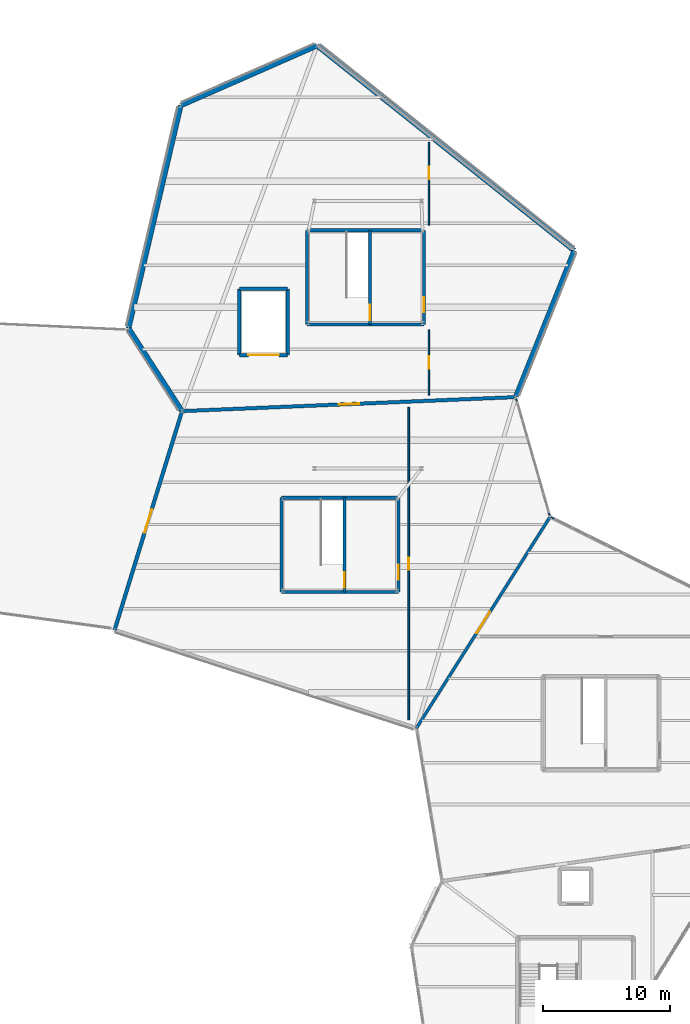
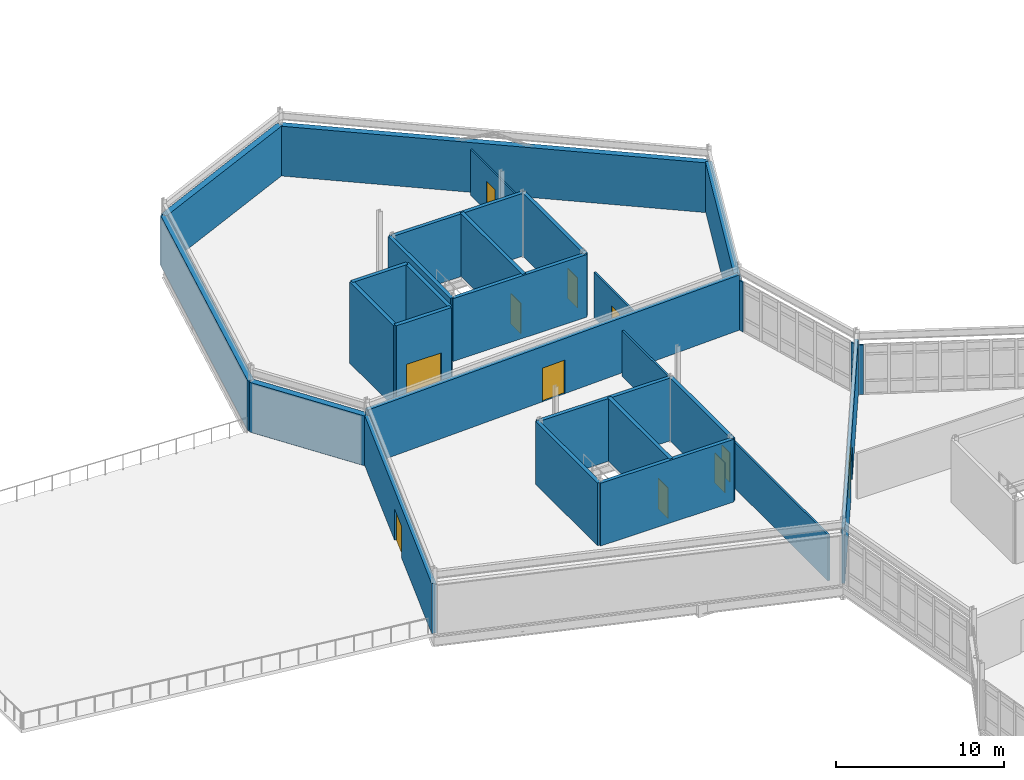
# One storey, part 62 of 76: 28 walls, 11 doors, 11 openings.
"""IFC4 building model written with IfcOpenShell, lengths in metres."""

from ifc_helpers import new_model, si_unit, direction, frame, frame_2d, origin, place, context, subcontext, project, spatial, rectangle, extrude, material, layer, layer_set, type_object, element, fill, save


model = new_model("IFC4")

# Units and contexts
model_context = context("Model", 3, precision=1e-05, world=origin(), true_north=direction((0.0, 1.0)))
body_context = subcontext(model_context, "Body", "Model", "MODEL_VIEW")
ifc_project = project(units=[si_unit("LENGTHUNIT", "METRE"), si_unit("AREAUNIT", "SQUARE_METRE"), si_unit("VOLUMEUNIT", "CUBIC_METRE"), si_unit("PLANEANGLEUNIT", "RADIAN"), si_unit("MASSUNIT", "GRAM", prefix="KILO")], contexts=[model_context])

# Site, building, storey
site_placement = place(None, origin())
site = spatial("IfcSite", under=ifc_project, at=site_placement, CompositionType="ELEMENT")
building_placement = place(site_placement, origin())
building = spatial("IfcBuilding", under=site, at=building_placement, Name="Tameran Prism Museum", CompositionType="ELEMENT")
storey_placement = place(building_placement, frame((0.0, 0.0, 15.0)))
storey = spatial("IfcBuildingStorey", under=building, at=storey_placement, Name="L03", CompositionType="ELEMENT", Elevation=15.0)

# Walls
ifc_material_1 = material(Name="Precast Concrete N50 (50 MPa)", Category="concrete")
ifc_layer_1 = layer(ifc_material_1, 0.39990234375)
ifc_layer_set_1 = layer_set([ifc_layer_1])
wall_type_1 = type_object("IfcWallType", Name="EW-ARC-400", PredefinedType="SOLIDWALL", material=ifc_layer_set_1)
wall_1_placement = place(storey_placement, frame((62.39990234375, 94.10009765625, 0.0), z_axis=(0.0, 0.0, 1.0), x_axis=(-0.371407751599, -0.928469860605, 0.0)))
element("IfcWall", 1, at=wall_1_placement, inside=storey, type_object=wall_type_1, Name="Exterior Fluted Precast Wall EW-0414", PredefinedType="SOLIDWALL", context=body_context, shape_type="SweptSolid", body=[
    extrude(rectangle(XDim=12.32568359375, YDim=0.39990234375, at=frame_2d((6.162841796875, 0.0))), origin(), (0.0, 0.0, 1.0), 3.6201171875),
])
wall_2_placement = place(storey_placement, frame((42.199951171875, 110.199951171875, 0.0), z_axis=(0.0, 0.0, 1.0), x_axis=(0.78200261515, -0.623275147827, 0.0)))
element("IfcWall", 2, at=wall_2_placement, inside=storey, type_object=wall_type_1, Name="Exterior Fluted Precast Wall EW-0415", PredefinedType="SOLIDWALL", context=body_context, shape_type="SweptSolid", body=[
    extrude(rectangle(XDim=25.8310546875, YDim=0.39990234375, at=frame_2d((12.91552734375, 0.0))), origin(), (0.0, 0.0, 1.0), 3.6201171875),
])
wall_3_placement = place(storey_placement, frame((31.5, 105.5, 0.0), z_axis=(0.0, 0.0, 1.0), x_axis=(0.915568057854, 0.40216306573, 0.0)))
element("IfcWall", 3, at=wall_3_placement, inside=storey, type_object=wall_type_1, Name="Exterior Fluted Precast Wall EW-0416", PredefinedType="SOLIDWALL", context=body_context, shape_type="SweptSolid", body=[
    extrude(rectangle(XDim=11.686767578125, YDim=0.39990234375, at=frame_2d((5.84326171875, 0.0))), origin(), (0.0, 0.0, 1.0), 3.6201171875),
])
wall_4_placement = place(storey_placement, frame((27.39990234375, 88.0, 0.0), z_axis=(0.0, 0.0, 1.0), x_axis=(0.228114067381, 0.973634414071, 0.0)))
element("IfcWall", 4, at=wall_4_placement, inside=storey, type_object=wall_type_1, Name="Exterior Fluted Precast Wall EW-0417", PredefinedType="SOLIDWALL", context=body_context, shape_type="SweptSolid", body=[
    extrude(rectangle(XDim=17.973876953125, YDim=0.39990234375, at=frame_2d((8.98681640625, 0.0))), origin(), (0.0, 0.0, 1.0), 3.6201171875),
])
wall_5_placement = place(storey_placement, frame((31.56689453125, 81.550048828125, 0.0), z_axis=(0.0, 0.0, 1.0), x_axis=(-0.542653962992, 0.839956353895, 0.0)))
element("IfcWall", 5, at=wall_5_placement, inside=storey, type_object=wall_type_1, Name="Exterior Fluted Precast Wall EW-0418", PredefinedType="SOLIDWALL", context=body_context, shape_type="SweptSolid", body=[
    extrude(rectangle(XDim=7.678955078125, YDim=0.39990234375, at=frame_2d((3.83935546875, 0.0))), origin(), (0.0, 0.0, 1.0), 3.6201171875),
])
ifc_material_2 = material(Name="Precast Concrete N40 (40 MPa)", Category="concrete")
ifc_layer_2 = layer(ifc_material_2, 0.094970703125)
ifc_layer_set_2 = layer_set([ifc_layer_2])
wall_type_2 = type_object("IfcWallType", Name="EW-CLOS-095", PredefinedType="SOLIDWALL", material=ifc_layer_set_2)
wall_6_placement = place(storey_placement, frame((60.592041015625, 73.154052734375, 0.0), z_axis=(0.0, 0.0, 1.0), x_axis=(0.895062210154, -0.445941296533, 0.0)))
element("IfcWall", 6, at=wall_6_placement, inside=storey, type_object=wall_type_2, Name="Facade Corner Closure EW-0395", PredefinedType="SOLIDWALL", context=body_context, shape_type="SweptSolid", body=[
    extrude(rectangle(XDim=0.30712890625, YDim=0.094970703125, at=frame_2d((0.153564453125, 0.0))), origin(), (0.0, 0.0, 1.0), 3.6201171875),
])
for number, where, z_axis, x_axis, name in (
    (7, (57.8291015625, 82.501953125, 0.0), (0.0, 0.0, 1.0), (0.275977786159, -0.961164013864, 0.0), "Facade Corner Closure EW-0410"),
    (8, (60.385986328125, 73.593994140625, 0.0), (0.0, 0.0, 1.0), (0.275977786159, -0.961164013864, 0.0), "Facade Corner Closure EW-0411"),
):
    element("IfcWall", number, at=place(storey_placement, frame(where, z_axis=z_axis, x_axis=x_axis)), inside=storey, type_object=wall_type_2, Name=name, PredefinedType="SOLIDWALL", context=body_context, shape_type="SweptSolid", body=[
        extrude(rectangle(XDim=0.307861328125, YDim=0.094970703125, at=frame_2d((0.15380859375, 0.0))), origin(), (0.0, 0.0, 1.0), 3.6201171875),
    ])

# Wall, opening, door
ifc_material_3 = material(Name="Precast Concrete N40 (40 MPa)", Category="concrete")
ifc_layer_3 = layer(ifc_material_3, 0.2900390625)
ifc_layer_set_3 = layer_set([ifc_layer_3])
wall_type_3 = type_object("IfcWallType", Name="EW-FOY-290", PredefinedType="SOLIDWALL", material=ifc_layer_set_3)
wall_7_placement = place(storey_placement, frame((26.300048828125, 64.300048828125, 0.0), z_axis=(0.0, 0.0, 1.0), x_axis=(0.294452119874, 0.955666233108, 0.0)))
wall_7 = element("IfcWall", 9, at=wall_7_placement, inside=storey, type_object=wall_type_3, Name="Exterior Fluted Precast Wall EW-0412", PredefinedType="SOLIDWALL", context=body_context, shape_type="SweptSolid", body=[
    extrude(rectangle(XDim=17.938232421875, YDim=0.2900390625, at=frame_2d((8.96923828125, 0.0))), origin(), (0.0, 0.0, 1.0), 3.6201171875),
])
opening_1_placement = place(wall_7_placement, frame((7.993896484375, 0.0, 0.0)))
opening_1 = element("IfcOpeningElement", 10, at=opening_1_placement, cuts=wall_7, Name="Opening TD-21", PredefinedType="OPENING", context=body_context, shape_type="SweptSolid", body=[
    extrude(rectangle(XDim=1.949951171875, YDim=2.300048828125, at=frame_2d((0.97509765625, 1.14990234375))), frame((0.0, 0.155029296875, 0.0), z_axis=(0.0, -1.0, 0.0), x_axis=(1.0, 0.0, 0.0)), (0.0, 0.0, 1.0), 0.31005859375),
])
ifc_material_4 = material(Name="Cyclone-Rated Anodised Aluminium 6063-T6 and Laminated Glass", Category="aluminium")
door_type_1 = type_object("IfcDoorType", Name="DR-TER-195", OperationType="DOUBLE_DOOR_SINGLE_SWING", PredefinedType="DOOR", material=ifc_material_4)
door_1_placement = place(opening_1_placement, origin())
door_1 = element("IfcDoor", 11, at=door_1_placement, inside=storey, type_object=door_type_1, Name="Terrace Access Door TD-21", OperationType="DOUBLE_DOOR_SINGLE_SWING", OverallHeight=2.300048828125, OverallWidth=1.949951171875, PredefinedType="DOOR", context=body_context, shape_type="SweptSolid", body=[
    extrude(rectangle(XDim=1.949951171875, YDim=2.300048828125, at=frame_2d((0.97509765625, 1.14990234375))), frame((0.0, 0.02490234375, 0.0), z_axis=(0.0, -1.0, 0.0), x_axis=(1.0, 0.0, 0.0)), (0.0, 0.0, 1.0), 0.050048828125),
])
fill(opening_1, door_1)

ifc_material_5 = material(Name="Concrete N40 (40 MPa)", Category="concrete")
ifc_layer_4 = layer(ifc_material_5, 0.22509765625)
ifc_layer_set_4 = layer_set([ifc_layer_4])
wall_type_4 = type_object("IfcWallType", Name="IW-CMP-225", PredefinedType="SOLIDWALL", material=ifc_layer_set_4)
wall_8_placement = place(storey_placement, frame((60.5, 73.199951171875, 0.0), z_axis=(0.0, 0.0, 1.0), x_axis=(-0.534570878454, -0.845123645338, 0.0)))
wall_8 = element("IfcWall", 12, at=wall_8_placement, inside=storey, type_object=wall_type_4, Name="Compartment Wall IW-0143", PredefinedType="SOLIDWALL", context=body_context, shape_type="SweptSolid", body=[
    extrude(rectangle(XDim=19.641845703125, YDim=0.22509765625, at=frame_2d((9.82080078125, 0.0))), origin(), (0.0, 0.0, 1.0), 4.02001953125),
])
opening_2_placement = place(wall_8_placement, frame((8.821044921875, 0.0, 0.0)))
opening_2 = element("IfcOpeningElement", 13, at=opening_2_placement, cuts=wall_8, Name="Opening ID-0142", PredefinedType="OPENING", context=body_context, shape_type="SweptSolid", body=[
    extrude(rectangle(XDim=2.0, YDim=2.5, at=frame_2d((1.0, 1.25))), frame((0.0, 0.12255859375, 0.0), z_axis=(0.0, -1.0, 0.0), x_axis=(1.0, 0.0, 0.0)), (0.0, 0.0, 1.0), 0.2451171875),
])
ifc_material_6 = material(Name="Fire-Rated Steel Door Leaf and Frame", Category="steel")
door_type_2 = type_object("IfcDoorType", Name="DR-GAL-200", OperationType="DOUBLE_DOOR_SINGLE_SWING", PredefinedType="DOOR", material=ifc_material_6)
door_2_placement = place(opening_2_placement, origin())
door_2 = element("IfcDoor", 14, at=door_2_placement, inside=storey, type_object=door_type_2, Name="Compartment Door ID-0142", OperationType="DOUBLE_DOOR_SINGLE_SWING", OverallHeight=2.5, OverallWidth=2.0, PredefinedType="DOOR", context=body_context, shape_type="SweptSolid", body=[
    extrude(rectangle(XDim=2.0, YDim=2.5, at=frame_2d((1.0, 1.25))), frame((0.0, 0.02490234375, 0.0), z_axis=(0.0, -1.0, 0.0), x_axis=(1.0, 0.0, 0.0)), (0.0, 0.0, 1.0), 0.050048828125),
])
fill(opening_2, door_2)

ifc_material_7 = material(Name="Concrete N40 (40 MPa)", Category="concrete")
ifc_layer_5 = layer(ifc_material_7, 0.27490234375)
ifc_layer_set_5 = layer_set([ifc_layer_5])
wall_type_5 = type_object("IfcWallType", Name="IW-CMP-275", PredefinedType="SOLIDWALL", material=ifc_layer_set_5)
wall_9_placement = place(storey_placement, frame((57.800048828125, 82.60009765625, 0.0), z_axis=(0.0, 0.0, 1.0), x_axis=(-0.999119645224, -0.041951573605, 0.0)))
wall_9 = element("IfcWall", 15, at=wall_9_placement, inside=storey, type_object=wall_type_5, Name="Compartment Wall IW-0145", PredefinedType="SOLIDWALL", context=body_context, shape_type="SweptSolid", body=[
    extrude(rectangle(XDim=26.22314453125, YDim=0.27490234375, at=frame_2d((13.111572265625, 0.0))), origin(), (0.0, 0.0, 1.0), 4.02001953125),
])
opening_3_placement = place(wall_9_placement, frame((12.31201171875, 0.0, 0.0)))
opening_3 = element("IfcOpeningElement", 16, at=opening_3_placement, cuts=wall_9, Name="Opening ID-0144", PredefinedType="OPENING", context=body_context, shape_type="SweptSolid", body=[
    extrude(rectangle(XDim=1.60009765625, YDim=2.449951171875, at=frame_2d((0.800048828125, 1.22509765625))), frame((0.0, 0.1474609375, 0.0), z_axis=(0.0, -1.0, 0.0), x_axis=(1.0, 0.0, 0.0)), (0.0, 0.0, 1.0), 0.294921875),
])
ifc_material_8 = material(Name="Fire-Rated Steel Door Leaf and Frame", Category="steel")
door_type_3 = type_object("IfcDoorType", Name="DR-FD-240", OperationType="DOUBLE_DOOR_SINGLE_SWING", PredefinedType="DOOR", material=ifc_material_8)
door_3_placement = place(opening_3_placement, origin())
door_3 = element("IfcDoor", 17, at=door_3_placement, inside=storey, type_object=door_type_3, Name="Compartment Door ID-0144", OperationType="DOUBLE_DOOR_SINGLE_SWING", OverallHeight=2.449951171875, OverallWidth=1.60009765625, PredefinedType="DOOR", context=body_context, shape_type="SweptSolid", body=[
    extrude(rectangle(XDim=1.60009765625, YDim=2.449951171875, at=frame_2d((0.800048828125, 1.22509765625))), frame((0.0, 0.02490234375, 0.0), z_axis=(0.0, -1.0, 0.0), x_axis=(1.0, 0.0, 0.0)), (0.0, 0.0, 1.0), 0.050048828125),
])
fill(opening_3, door_3)

# Walls
ifc_material_9 = material(Name="Concrete N40 (40 MPa)", Category="concrete")
ifc_layer_6 = layer(ifc_material_9, 0.25)
ifc_layer_set_6 = layer_set([ifc_layer_6])
wall_type_6 = type_object("IfcWallType", Name="IW-COR-250", PredefinedType="SHEAR", material=ifc_layer_set_6)
wall_10_placement = place(storey_placement, frame((39.39990234375, 67.300048828125, 0.0), z_axis=(0.0, 0.0, 1.0), x_axis=(0.0, 1.0, 0.0)))
element("IfcWall", 18, at=wall_10_placement, inside=storey, type_object=wall_type_6, Name="Core Shear Wall CW-5-L03-W", PredefinedType="SHEAR", context=body_context, shape_type="SweptSolid", body=[
    extrude(rectangle(XDim=7.39990234375, YDim=0.25, at=frame_2d((3.699951171875, 0.0))), origin(), (0.0, 0.0, 1.0), 4.56005859375),
])
for number, where, z_axis, x_axis, name in (
    (19, (39.39990234375, 74.699951171875, 0.0), (0.0, 0.0, 1.0), (1.0, 0.0, 0.0), "Core Shear Wall CW-5-L03-N"),
    (20, (48.60009765625, 67.300048828125, 0.0), (0.0, 0.0, 1.0), (-1.0, 0.0, 0.0), "Core Shear Wall CW-5-L03-S"),
):
    element("IfcWall", number, at=place(storey_placement, frame(where, z_axis=z_axis, x_axis=x_axis)), inside=storey, type_object=wall_type_6, Name=name, PredefinedType="SHEAR", context=body_context, shape_type="SweptSolid", body=[
        extrude(rectangle(XDim=9.2001953125, YDim=0.25, at=frame_2d((4.60009765625, 0.0))), origin(), (0.0, 0.0, 1.0), 4.56005859375),
    ])

# Wall, opening, door
wall_11_placement = place(storey_placement, frame((48.60009765625, 74.699951171875, 0.0), z_axis=(0.0, 0.0, 1.0), x_axis=(0.0, -1.0, 0.0)))
wall_11 = element("IfcWall", 21, at=wall_11_placement, inside=storey, type_object=wall_type_6, Name="Core Shear Wall CW-5-L03-E", PredefinedType="SHEAR", context=body_context, shape_type="SweptSolid", body=[
    extrude(rectangle(XDim=7.39990234375, YDim=0.25, at=frame_2d((3.699951171875, 0.0))), origin(), (0.0, 0.0, 1.0), 4.56005859375),
])
opening_4_placement = place(wall_11_placement, frame((5.25, 0.0, 0.0)))
opening_4 = element("IfcOpeningElement", 22, at=opening_4_placement, cuts=wall_11, Name="Opening FD-0251", PredefinedType="OPENING", context=body_context, shape_type="SweptSolid", body=[
    extrude(rectangle(XDim=1.199951171875, YDim=2.199951171875, at=frame_2d((0.60009765625, 1.10009765625))), frame((0.0, 0.135009765625, 0.0), z_axis=(0.0, -1.0, 0.0), x_axis=(1.0, 0.0, 0.0)), (0.0, 0.0, 1.0), 0.27001953125),
])
ifc_material_10 = material(Name="Fire-Rated Steel Door Leaf and Frame", Category="steel")
door_type_4 = type_object("IfcDoorType", Name="DR-FD-120A", OperationType="NOTDEFINED", PredefinedType="DOOR", material=ifc_material_10)
door_4_placement = place(opening_4_placement, origin())
door_4 = element("IfcDoor", 23, at=door_4_placement, inside=storey, type_object=door_type_4, Name="Core Fire Door FD-0251", OperationType="SINGLE_SWING_LEFT", OverallHeight=2.199951171875, OverallWidth=1.199951171875, PredefinedType="DOOR", context=body_context, shape_type="SweptSolid", body=[
    extrude(rectangle(XDim=1.199951171875, YDim=2.199951171875, at=frame_2d((0.60009765625, 1.10009765625))), frame((0.0, 0.02490234375, 0.0), z_axis=(0.0, -1.0, 0.0), x_axis=(1.0, 0.0, 0.0)), (0.0, 0.0, 1.0), 0.050048828125),
])
fill(opening_4, door_4)

wall_12_placement = place(storey_placement, frame((44.35009765625, 74.699951171875, 0.0), z_axis=(0.0, 0.0, 1.0), x_axis=(0.0, -1.0, 0.0)))
wall_12 = element("IfcWall", 24, at=wall_12_placement, inside=storey, type_object=wall_type_6, Name="Core Shear Wall CW-5-L03-M", PredefinedType="SHEAR", context=body_context, shape_type="SweptSolid", body=[
    extrude(rectangle(XDim=7.39990234375, YDim=0.25, at=frame_2d((3.699951171875, 0.0))), origin(), (0.0, 0.0, 1.0), 4.56005859375),
])
opening_5_placement = place(wall_12_placement, frame((5.85009765625, 0.0, 0.0)))
opening_5 = element("IfcOpeningElement", 25, at=opening_5_placement, cuts=wall_12, Name="Opening FD-0252", PredefinedType="OPENING", context=body_context, shape_type="SweptSolid", body=[
    extrude(rectangle(XDim=1.199951171875, YDim=2.199951171875, at=frame_2d((0.60009765625, 1.10009765625))), frame((0.0, 0.135009765625, 0.0), z_axis=(0.0, -1.0, 0.0), x_axis=(1.0, 0.0, 0.0)), (0.0, 0.0, 1.0), 0.27001953125),
])
door_5_placement = place(opening_5_placement, origin())
door_5 = element("IfcDoor", 26, at=door_5_placement, inside=storey, type_object=door_type_4, Name="Core Fire Door FD-0252", OperationType="SINGLE_SWING_RIGHT", OverallHeight=2.199951171875, OverallWidth=1.199951171875, PredefinedType="DOOR", context=body_context, shape_type="SweptSolid", body=[
    extrude(rectangle(XDim=1.199951171875, YDim=2.199951171875, at=frame_2d((0.60009765625, 1.10009765625))), frame((0.0, 0.02490234375, 0.0), z_axis=(0.0, -1.0, 0.0), x_axis=(1.0, 0.0, 0.0)), (0.0, 0.0, 1.0), 0.050048828125),
])
fill(opening_5, door_5)

# Walls
wall_13_placement = place(storey_placement, frame((41.39990234375, 88.300048828125, 0.0), z_axis=(0.0, 0.0, 1.0), x_axis=(0.0, 1.0, 0.0)))
element("IfcWall", 27, at=wall_13_placement, inside=storey, type_object=wall_type_6, Name="Core Shear Wall CW-14-L03-W", PredefinedType="SHEAR", context=body_context, shape_type="SweptSolid", body=[
    extrude(rectangle(XDim=7.39990234375, YDim=0.25, at=frame_2d((3.699951171875, 0.0))), origin(), (0.0, 0.0, 1.0), 4.56005859375),
])
for number, where, z_axis, x_axis, name in (
    (28, (41.39990234375, 95.699951171875, 0.0), (0.0, 0.0, 1.0), (1.0, 0.0, 0.0), "Core Shear Wall CW-14-L03-N"),
    (29, (50.60009765625, 88.300048828125, 0.0), (0.0, 0.0, 1.0), (-1.0, 0.0, 0.0), "Core Shear Wall CW-14-L03-S"),
):
    element("IfcWall", number, at=place(storey_placement, frame(where, z_axis=z_axis, x_axis=x_axis)), inside=storey, type_object=wall_type_6, Name=name, PredefinedType="SHEAR", context=body_context, shape_type="SweptSolid", body=[
        extrude(rectangle(XDim=9.2001953125, YDim=0.25, at=frame_2d((4.60009765625, 0.0))), origin(), (0.0, 0.0, 1.0), 4.56005859375),
    ])

# Wall, opening, door
wall_14_placement = place(storey_placement, frame((50.60009765625, 95.699951171875, 0.0), z_axis=(0.0, 0.0, 1.0), x_axis=(0.0, -1.0, 0.0)))
wall_14 = element("IfcWall", 30, at=wall_14_placement, inside=storey, type_object=wall_type_6, Name="Core Shear Wall CW-14-L03-E", PredefinedType="SHEAR", context=body_context, shape_type="SweptSolid", body=[
    extrude(rectangle(XDim=7.39990234375, YDim=0.25, at=frame_2d((3.699951171875, 0.0))), origin(), (0.0, 0.0, 1.0), 4.56005859375),
])
opening_6_placement = place(wall_14_placement, frame((5.25, 0.0, 0.0)))
opening_6 = element("IfcOpeningElement", 31, at=opening_6_placement, cuts=wall_14, Name="Opening FD-0295", PredefinedType="OPENING", context=body_context, shape_type="SweptSolid", body=[
    extrude(rectangle(XDim=1.199951171875, YDim=2.199951171875, at=frame_2d((0.60009765625, 1.10009765625))), frame((0.0, 0.135009765625, 0.0), z_axis=(0.0, -1.0, 0.0), x_axis=(1.0, 0.0, 0.0)), (0.0, 0.0, 1.0), 0.27001953125),
])
door_6_placement = place(opening_6_placement, origin())
door_6 = element("IfcDoor", 32, at=door_6_placement, inside=storey, type_object=door_type_4, Name="Core Fire Door FD-0295", OperationType="SINGLE_SWING_LEFT", OverallHeight=2.199951171875, OverallWidth=1.199951171875, PredefinedType="DOOR", context=body_context, shape_type="SweptSolid", body=[
    extrude(rectangle(XDim=1.199951171875, YDim=2.199951171875, at=frame_2d((0.60009765625, 1.10009765625))), frame((0.0, 0.02490234375, 0.0), z_axis=(0.0, -1.0, 0.0), x_axis=(1.0, 0.0, 0.0)), (0.0, 0.0, 1.0), 0.050048828125),
])
fill(opening_6, door_6)

wall_15_placement = place(storey_placement, frame((46.35009765625, 95.699951171875, 0.0), z_axis=(0.0, 0.0, 1.0), x_axis=(0.0, -1.0, 0.0)))
wall_15 = element("IfcWall", 33, at=wall_15_placement, inside=storey, type_object=wall_type_6, Name="Core Shear Wall CW-14-L03-M", PredefinedType="SHEAR", context=body_context, shape_type="SweptSolid", body=[
    extrude(rectangle(XDim=7.39990234375, YDim=0.25, at=frame_2d((3.699951171875, 0.0))), origin(), (0.0, 0.0, 1.0), 4.56005859375),
])
opening_7_placement = place(wall_15_placement, frame((5.85009765625, 0.0, 0.0)))
opening_7 = element("IfcOpeningElement", 34, at=opening_7_placement, cuts=wall_15, Name="Opening FD-0296", PredefinedType="OPENING", context=body_context, shape_type="SweptSolid", body=[
    extrude(rectangle(XDim=1.199951171875, YDim=2.199951171875, at=frame_2d((0.60009765625, 1.10009765625))), frame((0.0, 0.135009765625, 0.0), z_axis=(0.0, -1.0, 0.0), x_axis=(1.0, 0.0, 0.0)), (0.0, 0.0, 1.0), 0.27001953125),
])
door_7_placement = place(opening_7_placement, origin())
door_7 = element("IfcDoor", 35, at=door_7_placement, inside=storey, type_object=door_type_4, Name="Core Fire Door FD-0296", OperationType="SINGLE_SWING_RIGHT", OverallHeight=2.199951171875, OverallWidth=1.199951171875, PredefinedType="DOOR", context=body_context, shape_type="SweptSolid", body=[
    extrude(rectangle(XDim=1.199951171875, YDim=2.199951171875, at=frame_2d((0.60009765625, 1.10009765625))), frame((0.0, 0.02490234375, 0.0), z_axis=(0.0, -1.0, 0.0), x_axis=(1.0, 0.0, 0.0)), (0.0, 0.0, 1.0), 0.050048828125),
])
fill(opening_7, door_7)

ifc_material_11 = material(Name="Store Lightweight Stud Partition")
ifc_layer_7 = layer(ifc_material_11, 0.110107421875)
ifc_layer_set_7 = layer_set([ifc_layer_7])
wall_type_7 = type_object("IfcWallType", Name="IW-PRT-110", PredefinedType="PARTITIONING", material=ifc_layer_set_7)
wall_16_placement = place(storey_placement, frame((50.986083984375, 96.10009765625, 0.0), z_axis=(0.0, 0.0, 1.0), x_axis=(0.0, 1.0, 0.0)))
wall_16 = element("IfcWall", 36, at=wall_16_placement, inside=storey, type_object=wall_type_7, Name="Internal Partition PT-0151", PredefinedType="PARTITIONING", context=body_context, shape_type="SweptSolid", body=[
    extrude(rectangle(XDim=6.52197265625, YDim=0.110107421875, at=frame_2d((3.260986328125, 0.0))), origin(), (0.0, 0.0, 1.0), 3.320068359375),
])
opening_8_placement = place(wall_16_placement, frame((3.60205078125, 0.0, 0.0)))
opening_8 = element("IfcOpeningElement", 37, at=opening_8_placement, cuts=wall_16, Name="Opening ID-0150", PredefinedType="OPENING", context=body_context, shape_type="SweptSolid", body=[
    extrude(rectangle(XDim=0.97998046875, YDim=2.14990234375, at=frame_2d((0.489990234375, 1.074951171875))), frame((0.0, 0.06494140625, 0.0), z_axis=(0.0, -1.0, 0.0), x_axis=(1.0, 0.0, 0.0)), (0.0, 0.0, 1.0), 0.130126953125),
])
ifc_material_12 = material(Name="Acoustic Solid-Core Timber Door", Category="wood")
door_type_5 = type_object("IfcDoorType", Name="DR-INT-098", OperationType="NOTDEFINED", PredefinedType="DOOR", material=ifc_material_12)
door_8_placement = place(opening_8_placement, origin())
door_8 = element("IfcDoor", 38, at=door_8_placement, inside=storey, type_object=door_type_5, Name="Interior Room Door ID-0150", OperationType="SINGLE_SWING_RIGHT", OverallHeight=2.14990234375, OverallWidth=0.97998046875, PredefinedType="DOOR", context=body_context, shape_type="SweptSolid", body=[
    extrude(rectangle(XDim=0.97998046875, YDim=2.14990234375, at=frame_2d((0.489990234375, 1.074951171875))), frame((0.0, 0.02490234375, 0.0), z_axis=(0.0, -1.0, 0.0), x_axis=(1.0, 0.0, 0.0)), (0.0, 0.0, 1.0), 0.050048828125),
])
fill(opening_8, door_8)

ifc_material_13 = material(Name="Office Insulated Stud Partition")
ifc_layer_8 = layer(ifc_material_13, 0.1201171875)
ifc_layer_set_8 = layer_set([ifc_layer_8])
wall_type_8 = type_object("IfcWallType", Name="IW-PRT-120", PredefinedType="PARTITIONING", material=ifc_layer_set_8)
wall_17_placement = place(storey_placement, frame((50.986083984375, 82.763916015625, 0.0), z_axis=(0.0, 0.0, 1.0), x_axis=(0.0, 1.0, 0.0)))
wall_17 = element("IfcWall", 39, at=wall_17_placement, inside=storey, type_object=wall_type_8, Name="Internal Partition PT-0150", PredefinedType="PARTITIONING", context=body_context, shape_type="SweptSolid", body=[
    extrude(rectangle(XDim=5.135986328125, YDim=0.1201171875, at=frame_2d((2.56787109375, 0.0))), origin(), (0.0, 0.0, 1.0), 3.320068359375),
])
opening_9_placement = place(wall_17_placement, frame((2.077880859375, 0.0, 0.0)))
opening_9 = element("IfcOpeningElement", 40, at=opening_9_placement, cuts=wall_17, Name="Opening ID-0149", PredefinedType="OPENING", context=body_context, shape_type="SweptSolid", body=[
    extrude(rectangle(XDim=0.97998046875, YDim=2.14990234375, at=frame_2d((0.489990234375, 1.074951171875))), frame((0.0, 0.070068359375, 0.0), z_axis=(0.0, -1.0, 0.0), x_axis=(1.0, 0.0, 0.0)), (0.0, 0.0, 1.0), 0.14013671875),
])
door_9_placement = place(opening_9_placement, origin())
door_9 = element("IfcDoor", 41, at=door_9_placement, inside=storey, type_object=door_type_5, Name="Interior Room Door ID-0149", OperationType="SINGLE_SWING_LEFT", OverallHeight=2.14990234375, OverallWidth=0.97998046875, PredefinedType="DOOR", context=body_context, shape_type="SweptSolid", body=[
    extrude(rectangle(XDim=0.97998046875, YDim=2.14990234375, at=frame_2d((0.489990234375, 1.074951171875))), frame((0.0, 0.02490234375, 0.0), z_axis=(0.0, -1.0, 0.0), x_axis=(1.0, 0.0, 0.0)), (0.0, 0.0, 1.0), 0.050048828125),
])
fill(opening_9, door_9)

ifc_material_14 = material(Name="Wet-Area Fibre-Cement Stud Partition")
ifc_layer_9 = layer(ifc_material_14, 0.1298828125)
ifc_layer_set_9 = layer_set([ifc_layer_9])
wall_type_9 = type_object("IfcWallType", Name="IW-PRT-130", PredefinedType="PARTITIONING", material=ifc_layer_set_9)
wall_18_placement = place(storey_placement, frame((49.403076171875, 57.26708984375, 0.0), z_axis=(0.0, 0.0, 1.0), x_axis=(0.0, 1.0, 0.0)))
wall_18 = element("IfcWall", 42, at=wall_18_placement, inside=storey, type_object=wall_type_9, Name="Internal Partition PT-0149", PredefinedType="PARTITIONING", context=body_context, shape_type="SweptSolid", body=[
    extrude(rectangle(XDim=24.530029296875, YDim=0.1298828125, at=frame_2d((12.26513671875, 0.0))), origin(), (0.0, 0.0, 1.0), 3.320068359375),
])
opening_10_placement = place(wall_18_placement, frame((11.7900390625, 0.0, 0.0)))
opening_10 = element("IfcOpeningElement", 43, at=opening_10_placement, cuts=wall_18, Name="Opening ID-0148", PredefinedType="OPENING", context=body_context, shape_type="SweptSolid", body=[
    extrude(rectangle(XDim=0.949951171875, YDim=2.14990234375, at=frame_2d((0.47509765625, 1.074951171875))), frame((0.0, 0.074951171875, 0.0), z_axis=(0.0, -1.0, 0.0), x_axis=(1.0, 0.0, 0.0)), (0.0, 0.0, 1.0), 0.14990234375),
])
ifc_material_15 = material(Name="Acoustic Solid-Core Timber Door", Category="wood")
door_type_6 = type_object("IfcDoorType", Name="DR-INT-095", OperationType="NOTDEFINED", PredefinedType="DOOR", material=ifc_material_15)
door_10_placement = place(opening_10_placement, origin())
door_10 = element("IfcDoor", 44, at=door_10_placement, inside=storey, type_object=door_type_6, Name="Interior Room Door ID-0148", OperationType="SINGLE_SWING_RIGHT", OverallHeight=2.14990234375, OverallWidth=0.949951171875, PredefinedType="DOOR", context=body_context, shape_type="SweptSolid", body=[
    extrude(rectangle(XDim=0.949951171875, YDim=2.14990234375, at=frame_2d((0.47509765625, 1.074951171875))), frame((0.0, 0.02490234375, 0.0), z_axis=(0.0, -1.0, 0.0), x_axis=(1.0, 0.0, 0.0)), (0.0, 0.0, 1.0), 0.050048828125),
])
fill(opening_10, door_10)

# Walls
ifc_material_16 = material(Name="Concrete N50 (50 MPa)", Category="concrete")
ifc_layer_10 = layer(ifc_material_16, 0.260009765625)
ifc_layer_set_10 = layer_set([ifc_layer_10])
wall_type_10 = type_object("IfcWallType", Name="IW-SHF-260", PredefinedType="SHEAR", material=ifc_layer_set_10)
wall_19_placement = place(storey_placement, frame((36.10009765625, 91.10009765625, 0.0), z_axis=(0.0, 0.0, 1.0), x_axis=(1.0, 0.0, 0.0)))
element("IfcWall", 45, at=wall_19_placement, inside=storey, type_object=wall_type_10, Name="Lift Shaft Wall LW-GL01-L03N", PredefinedType="SHEAR", context=body_context, shape_type="SweptSolid", body=[
    extrude(rectangle(XDim=3.7998046875, YDim=0.260009765625, at=frame_2d((1.89990234375, 0.0))), origin(), (0.0, 0.0, 1.0), 5.89990234375),
])
for number, where, z_axis, x_axis, name in (
    (46, (39.89990234375, 91.10009765625, 0.0), (0.0, 0.0, 1.0), (0.0, -1.0, 0.0), "Lift Shaft Wall LW-GL01-L03E"),
    (47, (36.10009765625, 85.89990234375, 0.0), (0.0, 0.0, 1.0), (0.0, 1.0, 0.0), "Lift Shaft Wall LW-GL01-L03W"),
):
    element("IfcWall", number, at=place(storey_placement, frame(where, z_axis=z_axis, x_axis=x_axis)), inside=storey, type_object=wall_type_10, Name=name, PredefinedType="SHEAR", context=body_context, shape_type="SweptSolid", body=[
        extrude(rectangle(XDim=5.2001953125, YDim=0.260009765625, at=frame_2d((2.60009765625, 0.0))), origin(), (0.0, 0.0, 1.0), 5.89990234375),
    ])

# Wall, opening, door
wall_20_placement = place(storey_placement, frame((39.89990234375, 85.89990234375, 0.0), z_axis=(0.0, 0.0, 1.0), x_axis=(-1.0, 0.0, 0.0)))
wall_20 = element("IfcWall", 48, at=wall_20_placement, inside=storey, type_object=wall_type_10, Name="Lift Shaft Wall LW-GL01-L03S", PredefinedType="SHEAR", context=body_context, shape_type="SweptSolid", body=[
    extrude(rectangle(XDim=3.7998046875, YDim=0.260009765625, at=frame_2d((1.89990234375, 0.0))), origin(), (0.0, 0.0, 1.0), 5.89990234375),
])
opening_11_placement = place(wall_20_placement, frame((0.699951171875, 0.0, 0.0)))
opening_11 = element("IfcOpeningElement", 49, at=opening_11_placement, cuts=wall_20, Name="Opening LD-GL01-L03", PredefinedType="OPENING", context=body_context, shape_type="SweptSolid", body=[
    extrude(rectangle(XDim=2.39990234375, YDim=2.85009765625, at=frame_2d((1.199951171875, 1.425048828125))), frame((0.0, 0.139892578125, 0.0), z_axis=(0.0, -1.0, 0.0), x_axis=(1.0, 0.0, 0.0)), (0.0, 0.0, 1.0), 0.280029296875),
])
ifc_material_17 = material(Name="Fire-Rated Steel Door Leaf and Frame", Category="steel")
door_type_7 = type_object("IfcDoorType", Name="DR-LD-GL", OperationType="SLIDING_TO_LEFT", PredefinedType="DOOR", material=ifc_material_17)
door_11_placement = place(opening_11_placement, origin())
door_11 = element("IfcDoor", 50, at=door_11_placement, inside=storey, type_object=door_type_7, Name="Goods Lift GL-01 Landing Door L03", OperationType="SLIDING_TO_LEFT", OverallHeight=2.85009765625, OverallWidth=2.39990234375, PredefinedType="DOOR", context=body_context, shape_type="SweptSolid", body=[
    extrude(rectangle(XDim=2.39990234375, YDim=2.85009765625, at=frame_2d((1.199951171875, 1.425048828125))), frame((0.0, 0.02490234375, 0.0), z_axis=(0.0, -1.0, 0.0), x_axis=(1.0, 0.0, 0.0)), (0.0, 0.0, 1.0), 0.050048828125),
])
fill(opening_11, door_11)

save(model, "model.ifc")
